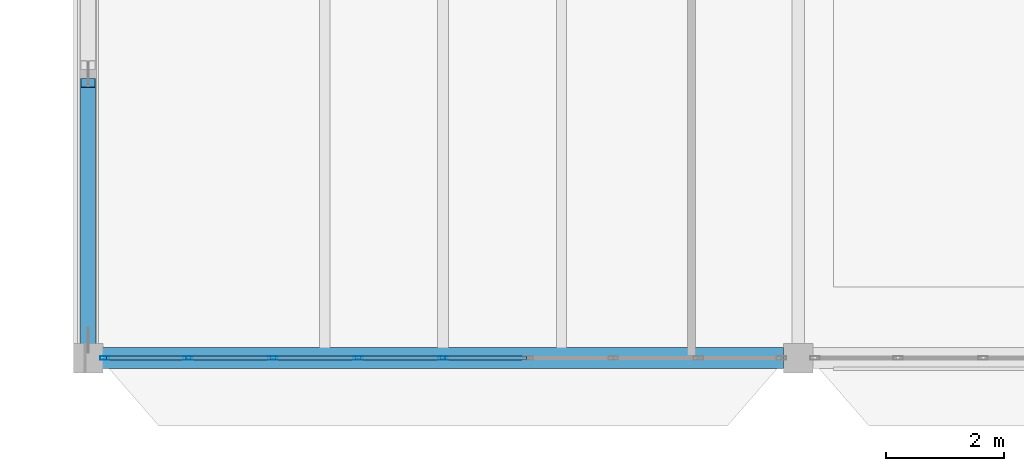
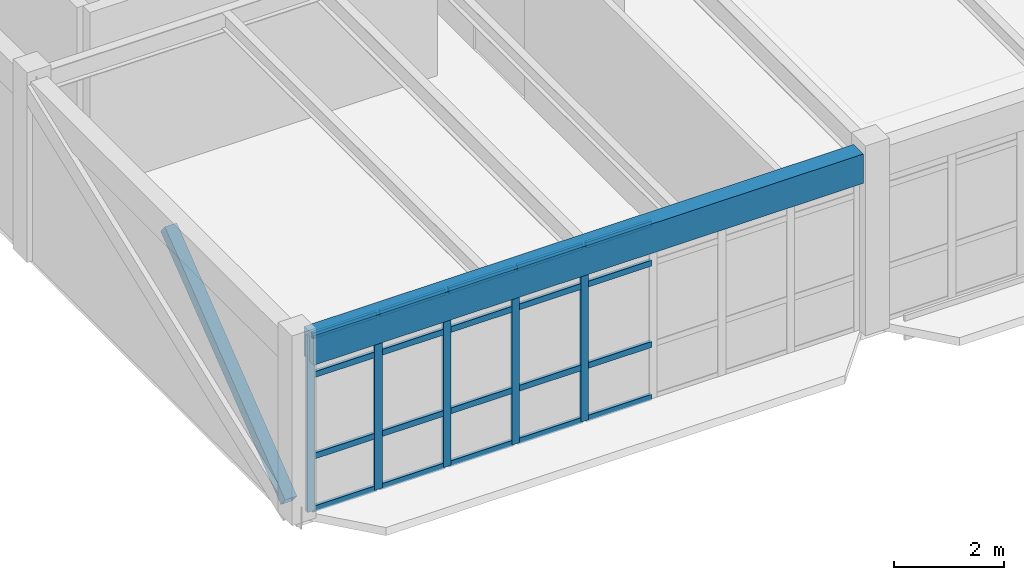
# One storey, part 7 of 83: 26 members, 1 beam, 1 element without a shape of its own.
"""IFC4 building model written with IfcOpenShell, lengths in metres."""

import ifcopenshell
import ifcopenshell.guid

model = None  # the IFC model being written
_history = None  # IfcOwnerHistory: only IFC2X3 demands one
_inside = {}  # id of a spatial element -> (the spatial element, [elements in it])
_under = {}  # id of a project, library or spatial element -> (it, [spatial elements below it])
_declared = {}  # id of a project -> (the project, [libraries it declares])
_typed = {}  # id of a type object -> (the type object, [elements of that type])
_made_of = {}  # id of a material, layer set ... -> (it, [elements and type objects made of it])


def new_model(schema):
    """Start an empty IFC model of exactly this schema.

    Asked for "IFC4X3", IfcOpenShell would pick the latest addendum, in which some entities
    have other attributes; the version numbers below select the first issue.
    IFC2X3 requires an IfcOwnerHistory on every rooted entity: one is made here for all.
    """
    global model, _history
    if schema == "IFC4X3":
        model = ifcopenshell.file(schema_version=(4, 3, 0, 0))
    else:
        model = ifcopenshell.file(schema=schema)
    _inside.clear()
    _under.clear()
    _declared.clear()
    _typed.clear()
    _made_of.clear()
    _history = None
    if model.schema == "IFC2X3":
        org = make("IfcOrganization", Name="unknown")
        user = make(
            "IfcPersonAndOrganization",
            ThePerson=make("IfcPerson", FamilyName="unknown"),
            TheOrganization=org,
        )
        app = make(
            "IfcApplication",
            ApplicationDeveloper=org,
            Version="unknown",
            ApplicationFullName="unknown",
            ApplicationIdentifier="unknown",
        )
        _history = make(
            "IfcOwnerHistory",
            OwningUser=user,
            OwningApplication=app,
            ChangeAction="ADDED",
            CreationDate=0,
        )
    return model


def make(cls, **values):
    """One entity of the class cls with the attributes given. An attribute that is None is left unset."""
    return model.create_entity(
        cls, **{name: value for name, value in values.items() if value is not None}
    )


def rooted(cls, **values):
    """An entity with a GlobalId (a new one), such as an element, a storey or a relation."""
    return make(cls, GlobalId=ifcopenshell.guid.new(), OwnerHistory=_history, **values)


def si_unit(unit_type, name, prefix=None):
    """IfcSIUnit, for example si_unit("LENGTHUNIT", "METRE", prefix="MILLI")."""
    return make("IfcSIUnit", UnitType=unit_type, Prefix=prefix, Name=name)


def assignment(units):
    """IfcUnitAssignment: the units of a project."""
    return None if units is None else make("IfcUnitAssignment", Units=units)


def point(xyz):
    """IfcCartesianPoint."""
    return None if xyz is None else make("IfcCartesianPoint", Coordinates=xyz)


def direction(xyz):
    """IfcDirection."""
    return None if xyz is None else make("IfcDirection", DirectionRatios=xyz)


def frame(location, z_axis=None, x_axis=None):
    """IfcAxis2Placement3D, a coordinate frame: its origin and axes. An axis left out is left unset."""
    return make(
        "IfcAxis2Placement3D",
        Location=point(location),
        Axis=direction(z_axis),
        RefDirection=direction(x_axis),
    )


def frame_2d(location, x_axis=None):
    """IfcAxis2Placement2D, a coordinate frame in the plane: its origin and x axis."""
    return make(
        "IfcAxis2Placement2D", Location=point(location), RefDirection=direction(x_axis)
    )


def origin():
    """The frame at (0, 0, 0) with its axes left unset."""
    return frame((0.0, 0.0, 0.0))


def origin_2d():
    """The frame at (0, 0) in the plane with its x axis left unset."""
    return frame_2d((0.0, 0.0))


def place(relative_to, where):
    """IfcLocalPlacement: puts the frame where relative to a parent placement (None: the world)."""
    return make(
        "IfcLocalPlacement", PlacementRelTo=relative_to, RelativePlacement=where
    )


def context(
    kind, dimensions, precision=None, world=None, true_north=None, identifier=None
):
    """IfcGeometricRepresentationContext, for example the 3D "Model" context."""
    return make(
        "IfcGeometricRepresentationContext",
        ContextIdentifier=identifier,
        ContextType=kind,
        CoordinateSpaceDimension=dimensions,
        Precision=precision,
        WorldCoordinateSystem=world,
        TrueNorth=true_north,
    )


def subcontext(parent, identifier, kind, view, scale=None):
    """IfcGeometricRepresentationSubContext, for example "Body" below "Model"."""
    return make(
        "IfcGeometricRepresentationSubContext",
        ContextIdentifier=identifier,
        ContextType=kind,
        ParentContext=parent,
        TargetScale=scale,
        TargetView=view,
    )


def project(units=None, contexts=None):
    """IfcProject with its units and contexts."""
    return rooted(
        "IfcProject",
        Name="project",
        RepresentationContexts=contexts,
        UnitsInContext=assignment(units),
    )


def spatial(cls, under=None, at=None, **own):
    """A site, building, storey or space (cls), placed at a placement, below another one or the project."""
    s = rooted(cls, ObjectPlacement=at, **own)
    if under is not None:
        _under.setdefault(under.id(), (under, []))[1].append(s)
    return s


def profile(cls, at=None, kind="AREA", **sizes):
    """A parametric profile (cls). Its sizes go by their IFC names, for example OverallWidth=200.0."""
    return make(cls, ProfileType=kind, Position=at, **sizes)


def rectangle(**sizes):
    """IfcRectangleProfileDef."""
    return profile("IfcRectangleProfileDef", **sizes)


def hollow_rectangle(**sizes):
    """IfcRectangleHollowProfileDef."""
    return profile("IfcRectangleHollowProfileDef", **sizes)


def extrude(swept, where, along, depth):
    """IfcExtrudedAreaSolid: the profile swept, set in the frame where, extruded along a direction by depth."""
    return make(
        "IfcExtrudedAreaSolid",
        SweptArea=swept,
        Position=where,
        ExtrudedDirection=direction(along),
        Depth=depth,
    )


def shape(context_of_items, identifier, shape_type, items):
    """IfcShapeRepresentation: the items that make up one representation, for example the "Body"."""
    return make(
        "IfcShapeRepresentation",
        ContextOfItems=context_of_items,
        RepresentationIdentifier=identifier,
        RepresentationType=shape_type,
        Items=items,
    )


def material(Name=None, Category=None):
    """IfcMaterial."""
    return make("IfcMaterial", Name=Name, Category=Category)


def layer(
    of_material, thickness, ventilated=None, Name=None, Category=None, Priority=None
):
    """IfcMaterialLayer: one layer of a wall or slab, of a material (None: an air gap)."""
    return make(
        "IfcMaterialLayer",
        Material=of_material,
        LayerThickness=thickness,
        IsVentilated=ventilated,
        Name=Name,
        Category=Category,
        Priority=Priority,
    )


def layer_set(layers, Name=None):
    """IfcMaterialLayerSet."""
    return make("IfcMaterialLayerSet", MaterialLayers=layers, LayerSetName=Name)


def material_profile(
    of_material, cross_section, Name=None, Category=None, Priority=None
):
    """IfcMaterialProfile: a cross section and its material."""
    return make(
        "IfcMaterialProfile",
        Name=Name,
        Material=of_material,
        Profile=cross_section,
        Priority=Priority,
        Category=Category,
    )


def profile_set(profiles, Name=None, composite=None):
    """IfcMaterialProfileSet."""
    return make(
        "IfcMaterialProfileSet",
        Name=Name,
        MaterialProfiles=profiles,
        CompositeProfile=composite,
    )


def made_of(thing, what):
    """Note that an element or type object is made of a material, layer set ...; save() writes the relation."""
    if what is not None:
        _made_of.setdefault(what.id(), (what, []))[1].append(thing)
    return thing


def type_object(cls, material=None, **own):
    """A type object (cls), such as IfcWallType, which elements share."""
    return made_of(rooted(cls, **own), material)


def element(
    cls,
    number,
    at=None,
    inside=None,
    cuts=None,
    type_object=None,
    material=None,
    context=None,
    identifier="Body",
    shape_type=None,
    held_by="IfcProductDefinitionShape",
    body=None,
    shapes=None,
    **own,
):
    """One element of the class cls, such as IfcWall. Its Tag is "e" and its number.

    at: its placement. inside: the storey or other place that contains it. cuts: it is an
    opening in that element (IfcRelVoidsElement). A single representation is given by context,
    identifier, shape_type and body (its items); several are given by shapes. held_by: the class
    of the entity that holds the representations. save() writes the other relations.
    """
    e = rooted(cls, Tag="e%d" % number, ObjectPlacement=at, **own)
    if body is not None:
        shapes = [shape(context, identifier, shape_type, body)]
    if shapes is not None:
        e.Representation = make(held_by, Representations=shapes)
    if inside is not None:
        _inside.setdefault(inside.id(), (inside, []))[1].append(e)
    if cuts is not None:
        rooted(
            "IfcRelVoidsElement", RelatingBuildingElement=cuts, RelatedOpeningElement=e
        )
    if type_object is not None:
        _typed.setdefault(type_object.id(), (type_object, []))[1].append(e)
    return made_of(e, material)


def aggregate(whole, parts):
    """IfcRelAggregates: a whole, such as a stair, and the parts it consists of."""
    return rooted("IfcRelAggregates", RelatingObject=whole, RelatedObjects=parts)


def save(model, path):
    """Write the relations noted so far, then the file.

    IfcRelAggregates (storeys below a building ...), IfcRelContainedInSpatialStructure (elements
    in a storey), IfcRelDefinesByType, IfcRelAssociatesMaterial and IfcRelDeclares: one each for
    every whole, place, type object, material and project.
    """
    for whole, parts in _under.values():
        aggregate(whole, parts)
    for where, things in _inside.values():
        rooted(
            "IfcRelContainedInSpatialStructure",
            RelatedElements=things,
            RelatingStructure=where,
        )
    for kind, things in _typed.values():
        rooted("IfcRelDefinesByType", RelatedObjects=things, RelatingType=kind)
    for what, things in _made_of.values():
        rooted("IfcRelAssociatesMaterial", RelatedObjects=things, RelatingMaterial=what)
    for by, libraries in _declared.values():
        rooted("IfcRelDeclares", RelatingContext=by, RelatedDefinitions=libraries)
    model.write(path)


model = new_model("IFC4")

# Units and contexts
model_context = context("Model", 3, precision=1e-05, world=origin(), true_north=direction((0.0, 1.0)))
body_context = subcontext(model_context, "Body", "Model", "MODEL_VIEW")
ifc_project = project(units=[si_unit("LENGTHUNIT", "METRE"), si_unit("AREAUNIT", "SQUARE_METRE"), si_unit("VOLUMEUNIT", "CUBIC_METRE"), si_unit("PLANEANGLEUNIT", "RADIAN"), si_unit("MASSUNIT", "GRAM", prefix="KILO")], contexts=[model_context])

# Site, building, storey
site_placement = place(None, origin())
site = spatial("IfcSite", under=ifc_project, at=site_placement, CompositionType="ELEMENT")
building_placement = place(site_placement, origin())
building = spatial("IfcBuilding", under=site, at=building_placement, Name="Pandanus Reach Market Hall", CompositionType="ELEMENT")
storey_placement = place(building_placement, frame((0.0, 0.0, 10.199951171875)))
storey = spatial("IfcBuildingStorey", under=building, at=storey_placement, Name="L02", CompositionType="ELEMENT", Elevation=10.199951171875)

# Beam
ifc_material_1 = material(Name="Concrete N40 (40 MPa)", Category="concrete")
ifc_material_profile_1 = material_profile(ifc_material_1, rectangle(XDim=0.35009765625, YDim=0.64990234375, at=origin_2d()), Name="RC350x650", Category="LoadBearing")
ifc_profile_set_1 = profile_set([ifc_material_profile_1], Name="Concrete N40 (40 MPa)")
beam_type = type_object("IfcBeamType", Name="BM-RC350-E", PredefinedType="SPANDREL", material=ifc_profile_set_1)
beam_placement = place(storey_placement, frame((0.248046875, 0.0, 3.655029296875), z_axis=(1.0, 0.0, 0.0), x_axis=(0.0, 1.0, 0.0)))
element("IfcBeam", 1, at=beam_placement, inside=storey, type_object=beam_type, Name="Framing beam BM-RC350-E L02.1011", PredefinedType="SPANDREL", context=body_context, shape_type="SweptSolid", body=[
    extrude(rectangle(XDim=0.35009765625, YDim=0.64990234375, at=origin_2d()), origin(), (0.0, 0.0, 1.0), 11.50390625),
])

# Member
ifc_material_2 = material(Name="Steel Grade 350 (350 MPa)", Category="steel")
ifc_material_profile_2 = material_profile(ifc_material_2, hollow_rectangle(XDim=0.25, YDim=0.25, WallThickness=0.010009765625, at=origin_2d()), Name="250x250x10.0SHS", Category="LoadBearing")
ifc_profile_set_2 = profile_set([ifc_material_profile_2], Name="Steel Grade 350 (350 MPa)")
member_type_1 = type_object("IfcMemberType", Name="BR-SHS250-E", PredefinedType="BRACE", material=ifc_profile_set_2)
member_1_placement = place(storey_placement, frame((0.0, 0.2900390625, 0.150146484375), z_axis=(0.0, 0.788571684134, 0.614942842045), x_axis=(-1.0, 0.0, 0.0)))
element("IfcMember", 2, at=member_1_placement, inside=storey, type_object=member_type_1, Name="Chevron brace BR-SHS250-E 11A", PredefinedType="BRACE", context=body_context, shape_type="SweptSolid", body=[
    extrude(hollow_rectangle(XDim=0.25, YDim=0.25, WallThickness=0.010009765625, at=origin_2d()), origin(), (0.0, 0.0, 1.0), 5.52880859375),
])

# Curtain wall, members
ifc_material_3 = material(Name="Bronze anodised aluminium and low-E glass", Category="aluminium")
ifc_layer = layer(ifc_material_3, 0.159912109375, Name="CW-21")
ifc_layer_set = layer_set([ifc_layer], Name="Bronze anodised aluminium and low-E glass")
curtain_wall_type = type_object("IfcCurtainWallType", Name="CW-21", PredefinedType="NOTDEFINED", material=ifc_layer_set)
curtain_wall_placement = place(storey_placement, origin())
curtain_wall = element("IfcCurtainWall", 3, at=curtain_wall_placement, inside=storey, type_object=curtain_wall_type, Name="Glazed curtain wall CW-21 CW-0063", PredefinedType="NOTDEFINED")
ifc_material_4 = material(Name="Bronze anodised aluminium", Category="aluminium")
ifc_material_profile_3 = material_profile(ifc_material_4, hollow_rectangle(XDim=0.06494140625, YDim=0.159912109375, WallThickness=0.00390625, at=origin_2d()), Name="ALU65x160", Category="LoadBearing")
ifc_profile_set_3 = profile_set([ifc_material_profile_3], Name="Bronze anodised aluminium")
member_type_2 = type_object("IfcMemberType", Name="CW-M1", PredefinedType="MULLION", material=ifc_profile_set_3)
member_2_placement = place(storey_placement, frame((0.282470703125, 0.0, 0.0), z_axis=(0.0, 0.0, 1.0), x_axis=(0.0, 1.0, 0.0)))
member_2 = element("IfcMember", 4, at=member_2_placement, type_object=member_type_2, Name="CW-21 mullion 1", PredefinedType="MULLION", context=body_context, shape_type="SweptSolid", body=[
    extrude(hollow_rectangle(XDim=0.06494140625, YDim=0.159912109375, WallThickness=0.00390625, at=origin_2d()), origin(), (0.0, 0.0, 1.0), 3.900146484375),
])
member_3_placement = place(storey_placement, frame((1.6875, 0.0, 0.0), z_axis=(0.0, 0.0, 1.0), x_axis=(0.0, 1.0, 0.0)))
member_3 = element("IfcMember", 5, at=member_3_placement, type_object=member_type_2, Name="CW-21 mullion 2", PredefinedType="MULLION", context=body_context, shape_type="SweptSolid", body=[
    extrude(hollow_rectangle(XDim=0.06494140625, YDim=0.159912109375, WallThickness=0.00390625, at=origin_2d()), origin(), (0.0, 0.0, 1.0), 3.900146484375),
])
member_4_placement = place(storey_placement, frame((3.125, 0.0, 0.0), z_axis=(0.0, 0.0, 1.0), x_axis=(0.0, 1.0, 0.0)))
member_4 = element("IfcMember", 6, at=member_4_placement, type_object=member_type_2, Name="CW-21 mullion 3", PredefinedType="MULLION", context=body_context, shape_type="SweptSolid", body=[
    extrude(hollow_rectangle(XDim=0.06494140625, YDim=0.159912109375, WallThickness=0.00390625, at=origin_2d()), origin(), (0.0, 0.0, 1.0), 3.900146484375),
])
member_5_placement = place(storey_placement, frame((4.5625, 0.0, 0.0), z_axis=(0.0, 0.0, 1.0), x_axis=(0.0, 1.0, 0.0)))
member_5 = element("IfcMember", 7, at=member_5_placement, type_object=member_type_2, Name="CW-21 mullion 4", PredefinedType="MULLION", context=body_context, shape_type="SweptSolid", body=[
    extrude(hollow_rectangle(XDim=0.06494140625, YDim=0.159912109375, WallThickness=0.00390625, at=origin_2d()), origin(), (0.0, 0.0, 1.0), 3.900146484375),
])
member_6_placement = place(storey_placement, frame((6.0, 0.0, 0.0), z_axis=(0.0, 0.0, 1.0), x_axis=(0.0, 1.0, 0.0)))
member_6 = element("IfcMember", 8, at=member_6_placement, type_object=member_type_2, Name="CW-21 mullion 5", PredefinedType="MULLION", context=body_context, shape_type="SweptSolid", body=[
    extrude(hollow_rectangle(XDim=0.06494140625, YDim=0.159912109375, WallThickness=0.00390625, at=origin_2d()), origin(), (0.0, 0.0, 1.0), 3.900146484375),
])
ifc_material_profile_4 = material_profile(ifc_material_4, hollow_rectangle(XDim=0.06494140625, YDim=0.1298828125, WallThickness=0.00390625, at=origin_2d()), Name="ALU65x130", Category="LoadBearing")
ifc_profile_set_4 = profile_set([ifc_material_profile_4], Name="Bronze anodised aluminium")
member_type_3 = type_object("IfcMemberType", Name="CW-T1", PredefinedType="USERDEFINED", material=ifc_profile_set_4)
member_7_placement = place(storey_placement, frame((0.31494140625, 0.0, 0.032470703125), z_axis=(1.0, 0.0, 0.0), x_axis=(0.0, 1.0, 0.0)))
member_7 = element("IfcMember", 9, at=member_7_placement, type_object=member_type_3, Name="CW-21 transom 1.1", ObjectType="TRANSOM", PredefinedType="USERDEFINED", context=body_context, shape_type="SweptSolid", body=[
    extrude(hollow_rectangle(XDim=0.06494140625, YDim=0.1298828125, WallThickness=0.00390625, at=origin_2d()), origin(), (0.0, 0.0, 1.0), 1.340087890625),
])
member_8_placement = place(storey_placement, frame((0.31494140625, 0.0, 1.199951171875), z_axis=(1.0, 0.0, 0.0), x_axis=(0.0, 1.0, 0.0)))
member_8 = element("IfcMember", 10, at=member_8_placement, type_object=member_type_3, Name="CW-21 transom 1.2", ObjectType="TRANSOM", PredefinedType="USERDEFINED", context=body_context, shape_type="SweptSolid", body=[
    extrude(hollow_rectangle(XDim=0.06494140625, YDim=0.1298828125, WallThickness=0.00390625, at=origin_2d()), origin(), (0.0, 0.0, 1.0), 1.340087890625),
])
member_9_placement = place(storey_placement, frame((0.31494140625, 0.0, 3.0), z_axis=(1.0, 0.0, 0.0), x_axis=(0.0, 1.0, 0.0)))
member_9 = element("IfcMember", 11, at=member_9_placement, type_object=member_type_3, Name="CW-21 transom 1.3", ObjectType="TRANSOM", PredefinedType="USERDEFINED", context=body_context, shape_type="SweptSolid", body=[
    extrude(hollow_rectangle(XDim=0.06494140625, YDim=0.1298828125, WallThickness=0.00390625, at=origin_2d()), origin(), (0.0, 0.0, 1.0), 1.340087890625),
])
member_10_placement = place(storey_placement, frame((0.31494140625, 0.0, 3.867431640625), z_axis=(1.0, 0.0, 0.0), x_axis=(0.0, 1.0, 0.0)))
member_10 = element("IfcMember", 12, at=member_10_placement, type_object=member_type_3, Name="CW-21 transom 1.4", ObjectType="TRANSOM", PredefinedType="USERDEFINED", context=body_context, shape_type="SweptSolid", body=[
    extrude(hollow_rectangle(XDim=0.06494140625, YDim=0.1298828125, WallThickness=0.00390625, at=origin_2d()), origin(), (0.0, 0.0, 1.0), 1.340087890625),
])
member_11_placement = place(storey_placement, frame((1.719970703125, 0.0, 0.032470703125), z_axis=(1.0, 0.0, 0.0), x_axis=(0.0, 1.0, 0.0)))
member_11 = element("IfcMember", 13, at=member_11_placement, type_object=member_type_3, Name="CW-21 transom 2.1", ObjectType="TRANSOM", PredefinedType="USERDEFINED", context=body_context, shape_type="SweptSolid", body=[
    extrude(hollow_rectangle(XDim=0.06494140625, YDim=0.1298828125, WallThickness=0.00390625, at=origin_2d()), origin(), (0.0, 0.0, 1.0), 1.37255859375),
])
member_12_placement = place(storey_placement, frame((1.719970703125, 0.0, 1.199951171875), z_axis=(1.0, 0.0, 0.0), x_axis=(0.0, 1.0, 0.0)))
member_12 = element("IfcMember", 14, at=member_12_placement, type_object=member_type_3, Name="CW-21 transom 2.2", ObjectType="TRANSOM", PredefinedType="USERDEFINED", context=body_context, shape_type="SweptSolid", body=[
    extrude(hollow_rectangle(XDim=0.06494140625, YDim=0.1298828125, WallThickness=0.00390625, at=origin_2d()), origin(), (0.0, 0.0, 1.0), 1.37255859375),
])
member_13_placement = place(storey_placement, frame((1.719970703125, 0.0, 3.0), z_axis=(1.0, 0.0, 0.0), x_axis=(0.0, 1.0, 0.0)))
member_13 = element("IfcMember", 15, at=member_13_placement, type_object=member_type_3, Name="CW-21 transom 2.3", ObjectType="TRANSOM", PredefinedType="USERDEFINED", context=body_context, shape_type="SweptSolid", body=[
    extrude(hollow_rectangle(XDim=0.06494140625, YDim=0.1298828125, WallThickness=0.00390625, at=origin_2d()), origin(), (0.0, 0.0, 1.0), 1.37255859375),
])
member_14_placement = place(storey_placement, frame((1.719970703125, 0.0, 3.867431640625), z_axis=(1.0, 0.0, 0.0), x_axis=(0.0, 1.0, 0.0)))
member_14 = element("IfcMember", 16, at=member_14_placement, type_object=member_type_3, Name="CW-21 transom 2.4", ObjectType="TRANSOM", PredefinedType="USERDEFINED", context=body_context, shape_type="SweptSolid", body=[
    extrude(hollow_rectangle(XDim=0.06494140625, YDim=0.1298828125, WallThickness=0.00390625, at=origin_2d()), origin(), (0.0, 0.0, 1.0), 1.37255859375),
])
member_15_placement = place(storey_placement, frame((3.157470703125, 0.0, 0.032470703125), z_axis=(1.0, 0.0, 0.0), x_axis=(0.0, 1.0, 0.0)))
member_15 = element("IfcMember", 17, at=member_15_placement, type_object=member_type_3, Name="CW-21 transom 3.1", ObjectType="TRANSOM", PredefinedType="USERDEFINED", context=body_context, shape_type="SweptSolid", body=[
    extrude(hollow_rectangle(XDim=0.06494140625, YDim=0.1298828125, WallThickness=0.00390625, at=origin_2d()), origin(), (0.0, 0.0, 1.0), 1.37255859375),
])
member_16_placement = place(storey_placement, frame((3.157470703125, 0.0, 1.199951171875), z_axis=(1.0, 0.0, 0.0), x_axis=(0.0, 1.0, 0.0)))
member_16 = element("IfcMember", 18, at=member_16_placement, type_object=member_type_3, Name="CW-21 transom 3.2", ObjectType="TRANSOM", PredefinedType="USERDEFINED", context=body_context, shape_type="SweptSolid", body=[
    extrude(hollow_rectangle(XDim=0.06494140625, YDim=0.1298828125, WallThickness=0.00390625, at=origin_2d()), origin(), (0.0, 0.0, 1.0), 1.37255859375),
])
member_17_placement = place(storey_placement, frame((3.157470703125, 0.0, 3.0), z_axis=(1.0, 0.0, 0.0), x_axis=(0.0, 1.0, 0.0)))
member_17 = element("IfcMember", 19, at=member_17_placement, type_object=member_type_3, Name="CW-21 transom 3.3", ObjectType="TRANSOM", PredefinedType="USERDEFINED", context=body_context, shape_type="SweptSolid", body=[
    extrude(hollow_rectangle(XDim=0.06494140625, YDim=0.1298828125, WallThickness=0.00390625, at=origin_2d()), origin(), (0.0, 0.0, 1.0), 1.37255859375),
])
member_18_placement = place(storey_placement, frame((3.157470703125, 0.0, 3.867431640625), z_axis=(1.0, 0.0, 0.0), x_axis=(0.0, 1.0, 0.0)))
member_18 = element("IfcMember", 20, at=member_18_placement, type_object=member_type_3, Name="CW-21 transom 3.4", ObjectType="TRANSOM", PredefinedType="USERDEFINED", context=body_context, shape_type="SweptSolid", body=[
    extrude(hollow_rectangle(XDim=0.06494140625, YDim=0.1298828125, WallThickness=0.00390625, at=origin_2d()), origin(), (0.0, 0.0, 1.0), 1.37255859375),
])
member_19_placement = place(storey_placement, frame((4.594970703125, 0.0, 0.032470703125), z_axis=(1.0, 0.0, 0.0), x_axis=(0.0, 1.0, 0.0)))
member_19 = element("IfcMember", 21, at=member_19_placement, type_object=member_type_3, Name="CW-21 transom 4.1", ObjectType="TRANSOM", PredefinedType="USERDEFINED", context=body_context, shape_type="SweptSolid", body=[
    extrude(hollow_rectangle(XDim=0.06494140625, YDim=0.1298828125, WallThickness=0.00390625, at=origin_2d()), origin(), (0.0, 0.0, 1.0), 1.37255859375),
])
member_20_placement = place(storey_placement, frame((4.594970703125, 0.0, 1.199951171875), z_axis=(1.0, 0.0, 0.0), x_axis=(0.0, 1.0, 0.0)))
member_20 = element("IfcMember", 22, at=member_20_placement, type_object=member_type_3, Name="CW-21 transom 4.2", ObjectType="TRANSOM", PredefinedType="USERDEFINED", context=body_context, shape_type="SweptSolid", body=[
    extrude(hollow_rectangle(XDim=0.06494140625, YDim=0.1298828125, WallThickness=0.00390625, at=origin_2d()), origin(), (0.0, 0.0, 1.0), 1.37255859375),
])
member_21_placement = place(storey_placement, frame((4.594970703125, 0.0, 3.0), z_axis=(1.0, 0.0, 0.0), x_axis=(0.0, 1.0, 0.0)))
member_21 = element("IfcMember", 23, at=member_21_placement, type_object=member_type_3, Name="CW-21 transom 4.3", ObjectType="TRANSOM", PredefinedType="USERDEFINED", context=body_context, shape_type="SweptSolid", body=[
    extrude(hollow_rectangle(XDim=0.06494140625, YDim=0.1298828125, WallThickness=0.00390625, at=origin_2d()), origin(), (0.0, 0.0, 1.0), 1.37255859375),
])
member_22_placement = place(storey_placement, frame((4.594970703125, 0.0, 3.867431640625), z_axis=(1.0, 0.0, 0.0), x_axis=(0.0, 1.0, 0.0)))
member_22 = element("IfcMember", 24, at=member_22_placement, type_object=member_type_3, Name="CW-21 transom 4.4", ObjectType="TRANSOM", PredefinedType="USERDEFINED", context=body_context, shape_type="SweptSolid", body=[
    extrude(hollow_rectangle(XDim=0.06494140625, YDim=0.1298828125, WallThickness=0.00390625, at=origin_2d()), origin(), (0.0, 0.0, 1.0), 1.37255859375),
])
member_23_placement = place(storey_placement, frame((6.032470703125, 0.0, 0.032470703125), z_axis=(1.0, 0.0, 0.0), x_axis=(0.0, 1.0, 0.0)))
member_23 = element("IfcMember", 25, at=member_23_placement, type_object=member_type_3, Name="CW-21 transom 5.1", ObjectType="TRANSOM", PredefinedType="USERDEFINED", context=body_context, shape_type="SweptSolid", body=[
    extrude(hollow_rectangle(XDim=0.06494140625, YDim=0.1298828125, WallThickness=0.00390625, at=origin_2d()), origin(), (0.0, 0.0, 1.0), 1.37255859375),
])
member_24_placement = place(storey_placement, frame((6.032470703125, 0.0, 1.199951171875), z_axis=(1.0, 0.0, 0.0), x_axis=(0.0, 1.0, 0.0)))
member_24 = element("IfcMember", 26, at=member_24_placement, type_object=member_type_3, Name="CW-21 transom 5.2", ObjectType="TRANSOM", PredefinedType="USERDEFINED", context=body_context, shape_type="SweptSolid", body=[
    extrude(hollow_rectangle(XDim=0.06494140625, YDim=0.1298828125, WallThickness=0.00390625, at=origin_2d()), origin(), (0.0, 0.0, 1.0), 1.37255859375),
])
member_25_placement = place(storey_placement, frame((6.032470703125, 0.0, 3.0), z_axis=(1.0, 0.0, 0.0), x_axis=(0.0, 1.0, 0.0)))
member_25 = element("IfcMember", 27, at=member_25_placement, type_object=member_type_3, Name="CW-21 transom 5.3", ObjectType="TRANSOM", PredefinedType="USERDEFINED", context=body_context, shape_type="SweptSolid", body=[
    extrude(hollow_rectangle(XDim=0.06494140625, YDim=0.1298828125, WallThickness=0.00390625, at=origin_2d()), origin(), (0.0, 0.0, 1.0), 1.37255859375),
])
member_26_placement = place(storey_placement, frame((6.032470703125, 0.0, 3.867431640625), z_axis=(1.0, 0.0, 0.0), x_axis=(0.0, 1.0, 0.0)))
member_26 = element("IfcMember", 28, at=member_26_placement, type_object=member_type_3, Name="CW-21 transom 5.4", ObjectType="TRANSOM", PredefinedType="USERDEFINED", context=body_context, shape_type="SweptSolid", body=[
    extrude(hollow_rectangle(XDim=0.06494140625, YDim=0.1298828125, WallThickness=0.00390625, at=origin_2d()), origin(), (0.0, 0.0, 1.0), 1.37255859375),
])
aggregate(curtain_wall, [member_2, member_3, member_4, member_5, member_6, member_7, member_8, member_9, member_10, member_11, member_12, member_13, member_14, member_15, member_16, member_17, member_18, member_19, member_20, member_21, member_22, member_23, member_24, member_25, member_26])

save(model, "model.ifc")
